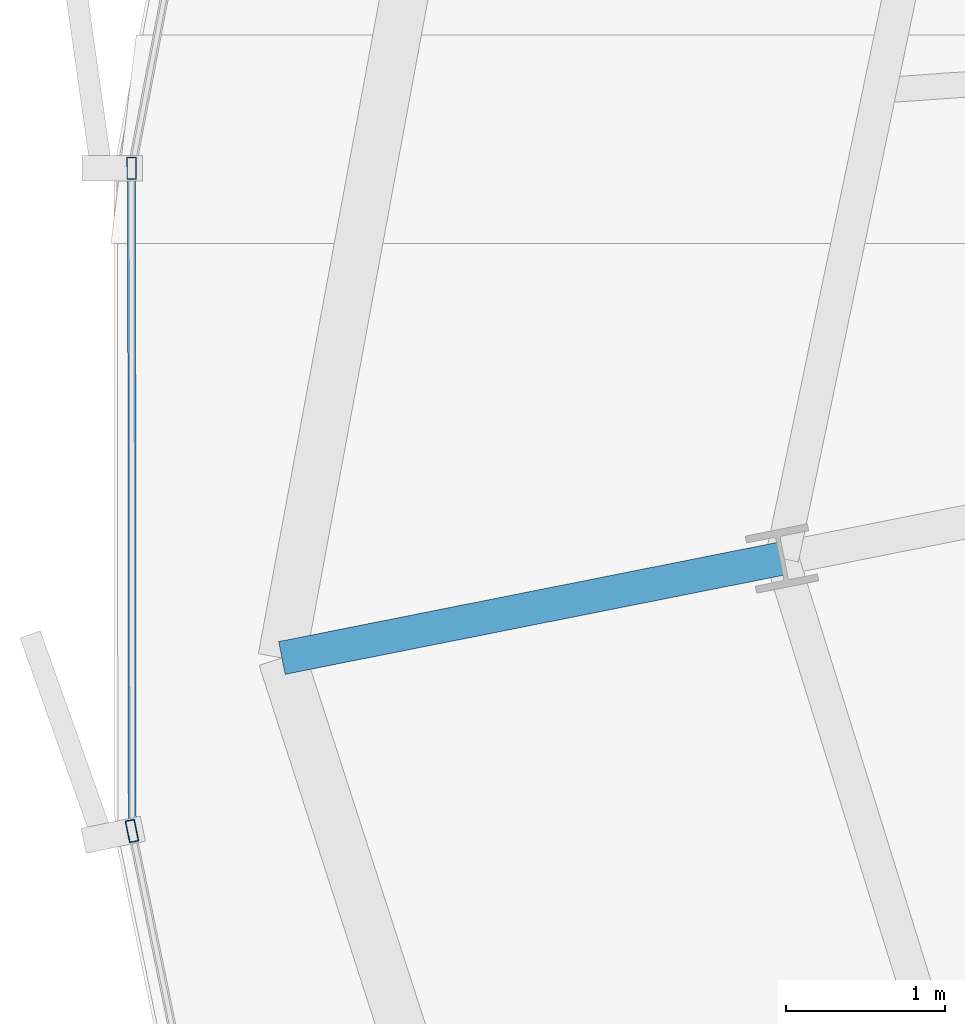
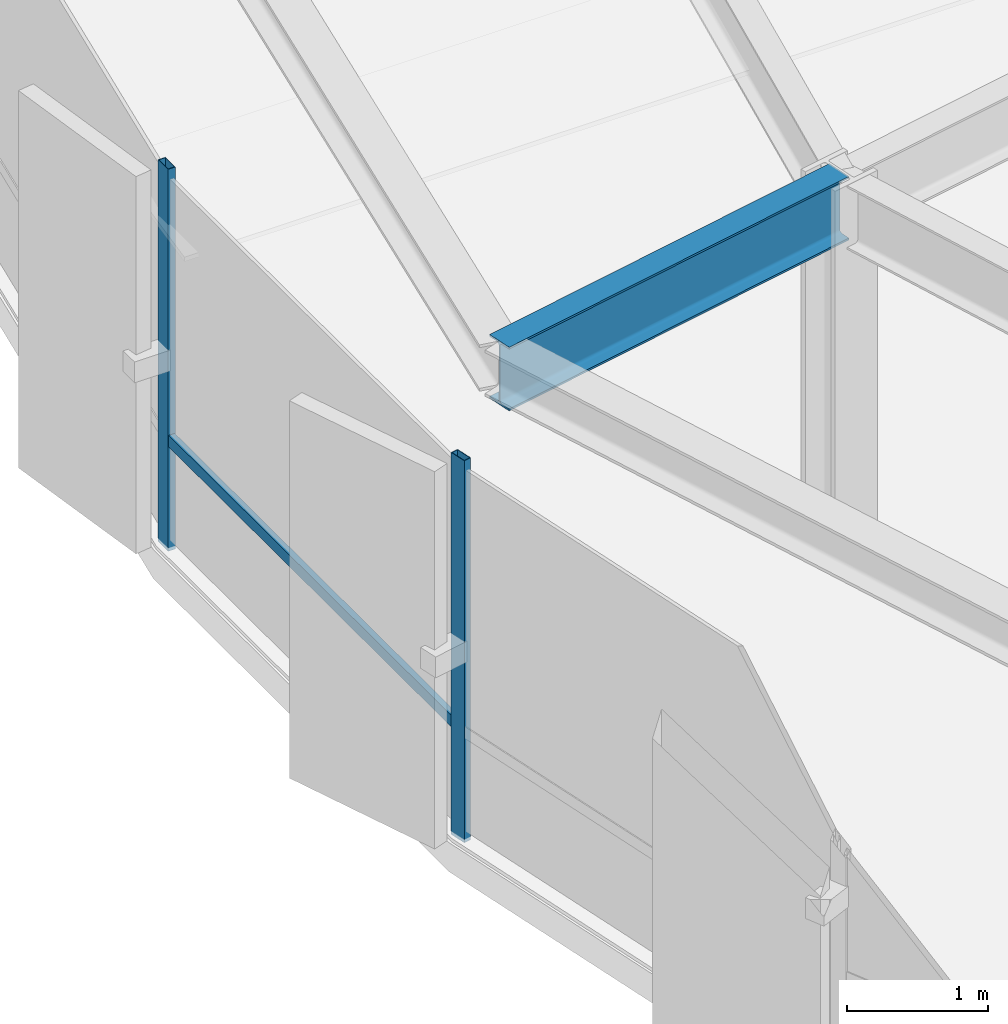
# One storey, part 8 of 34: 3 members, 1 beam, 1 element without a shape of its own.
"""IFC4 building model written with IfcOpenShell, lengths in metres."""

from ifc_helpers import new_model, si_unit, direction, frame, origin, origin_2d, place, context, subcontext, project, spatial, hollow_rectangle, i_section, extrude, source, transform, mapped, material, layer, layer_set, material_profile, profile_set, type_object, element, aggregate, save


model = new_model("IFC4")

# Units and contexts
model_context = context("Model", 3, precision=1e-05, world=origin(), true_north=direction((0.0, 1.0)))
body_context = subcontext(model_context, "Body", "Model", "MODEL_VIEW")
ifc_project = project(units=[si_unit("LENGTHUNIT", "METRE"), si_unit("AREAUNIT", "SQUARE_METRE"), si_unit("VOLUMEUNIT", "CUBIC_METRE"), si_unit("PLANEANGLEUNIT", "RADIAN"), si_unit("MASSUNIT", "GRAM", prefix="KILO"), si_unit("THERMODYNAMICTEMPERATUREUNIT", "KELVIN")], contexts=[model_context])

# Site, building, storey
site_placement = place(None, origin())
site = spatial("IfcSite", under=ifc_project, at=site_placement, CompositionType="ELEMENT")
building_placement = place(site_placement, origin())
building = spatial("IfcBuilding", under=site, at=building_placement, Name="Kethvar Cultural Tower", CompositionType="ELEMENT")
storey_placement = place(building_placement, frame((0.0, 0.0, 153.64990234375)))
storey = spatial("IfcBuildingStorey", under=building, at=storey_placement, Name="L39", CompositionType="ELEMENT", Elevation=153.64990234375)

# Beam
ifc_material_1 = material(Name="Steel S355J2", Category="steel")
ifc_material_profile_1 = material_profile(ifc_material_1, i_section(OverallWidth=0.2099609375, OverallDepth=0.550048828125, WebThickness=0.010986328125, FlangeThickness=0.01708984375, FilletRadius=0.02392578125, at=origin_2d()), Name="Steel S355J2 — IPE550")
ifc_profile_set_1 = profile_set([ifc_material_profile_1], Name="Steel S355J2 — IPE550")
beam_type = type_object("IfcBeamType", Name="BM-IPE550", PredefinedType="BEAM", material=ifc_profile_set_1)
shared_shape_1 = source(origin(), body_context, "Body", "SweptSolid", [
    extrude(i_section(OverallWidth=0.2099609375, OverallDepth=0.550048828125, WebThickness=0.010986328125, FlangeThickness=0.01708984375, FilletRadius=0.02392578125, at=origin_2d()), origin(), (0.0, 0.0, 1.0), 3.199951171875),
])
beam_placement = place(storey_placement, frame((24.185302734375, 23.3017578125, 3.023193359375), z_axis=(-0.980785550224, -0.195088965533, 0.0), x_axis=(0.195088965533, -0.980785550224, 0.0)))
element("IfcBeam", 1, at=beam_placement, inside=storey, type_object=beam_type, Name="L39 Perimeter Cantilever Beam RC-09", PredefinedType="BEAM", context=body_context, shape_type="MappedRepresentation", body=[
    mapped(shared_shape_1, transform((0.0, 0.0, 0.0), scale=1.0)),
])

# Curtain wall, members
ifc_material_2 = material(Name="Aluminium 6063-T6", Category="aluminium")
ifc_layer = layer(ifc_material_2, 0.179931640625, Name="Aluminium 6063-T6", Category="aluminium")
ifc_layer_set = layer_set([ifc_layer], Name="Aluminium 6063-T6 (180 mm)")
curtain_wall_type = type_object("IfcCurtainWallType", Name="CW-SYS-04-Z34", PredefinedType="NOTDEFINED", material=ifc_layer_set)
curtain_wall_placement = place(storey_placement, origin())
curtain_wall = element("IfcCurtainWall", 2, at=curtain_wall_placement, inside=storey, type_object=curtain_wall_type, Name="L39 Curtain Wall Run 03", PredefinedType="NOTDEFINED")
ifc_material_profile_2 = material_profile(ifc_material_2, hollow_rectangle(XDim=0.06005859375, YDim=0.139892578125, WallThickness=0.0048828125, at=origin_2d()), Name="Aluminium 6063-T6 — RHS140x60x5")
ifc_profile_set_2 = profile_set([ifc_material_profile_2], Name="Aluminium 6063-T6 — RHS140x60x5")
member_type_1 = type_object("IfcMemberType", Name="CW-SYS-04-Z34-MUL", PredefinedType="MULLION", material=ifc_profile_set_2)
shared_shape_2 = source(origin(), body_context, "Body", "SweptSolid", [
    extrude(hollow_rectangle(XDim=0.06005859375, YDim=0.139892578125, WallThickness=0.0048828125, at=origin_2d()), origin(), (0.0, 0.0, 1.0), 3.300048828125),
])
member_1_placement = place(storey_placement, frame((20.103271484375, 25.75048828125, 0.0), z_axis=(0.0, 0.0, 1.0), x_axis=(0.999999316286, 0.001169370332, 0.0)))
member_1 = element("IfcMember", 3, at=member_1_placement, type_object=member_type_1, Name="CW-L39-R03 Mullion 4", PredefinedType="MULLION", context=body_context, shape_type="MappedRepresentation", body=[
    mapped(shared_shape_2, transform((0.0, 0.0, 0.0), scale=1.0)),
])
member_2_placement = place(storey_placement, frame((20.10595703125, 21.591796875, 0.0), z_axis=(0.0, 0.0, 1.0), x_axis=(0.979578758922, 0.201060824302, 0.0)))
member_2 = element("IfcMember", 4, at=member_2_placement, type_object=member_type_1, Name="CW-L39-R03 Mullion 5", PredefinedType="MULLION", context=body_context, shape_type="MappedRepresentation", body=[
    mapped(shared_shape_2, transform((0.0, 0.0, 0.0), scale=1.0)),
])
ifc_material_profile_3 = material_profile(ifc_material_2, hollow_rectangle(XDim=0.050048828125, YDim=0.10009765625, WallThickness=0.00390625, at=origin_2d()), Name="Aluminium 6063-T6 — RHS100x50x4")
ifc_profile_set_3 = profile_set([ifc_material_profile_3], Name="Aluminium 6063-T6 — RHS100x50x4")
member_type_2 = type_object("IfcMemberType", Name="CW-SYS-04-Z34-TRN", PredefinedType="USERDEFINED", material=ifc_profile_set_3)
shared_shape_3 = source(origin(), body_context, "Body", "SweptSolid", [
    extrude(hollow_rectangle(XDim=0.050048828125, YDim=0.10009765625, WallThickness=0.00390625, at=origin_2d()), origin(), (0.0, 0.0, 1.0), 4.094482421875),
])
member_3_placement = place(storey_placement, frame((20.103271484375, 25.70751953125, 0.9501953125), z_axis=(0.001132907269, -0.99999935826, 0.0), x_axis=(0.99999935826, 0.001132907269, 0.0)))
member_3 = element("IfcMember", 5, at=member_3_placement, type_object=member_type_2, Name="CW-L39-R03 Transom 4", ObjectType="TRANSOM", PredefinedType="USERDEFINED", context=body_context, shape_type="MappedRepresentation", body=[
    mapped(shared_shape_3, transform((0.0, 0.0, 0.0), scale=1.0)),
])
aggregate(curtain_wall, [member_1, member_2, member_3])

save(model, "model.ifc")
